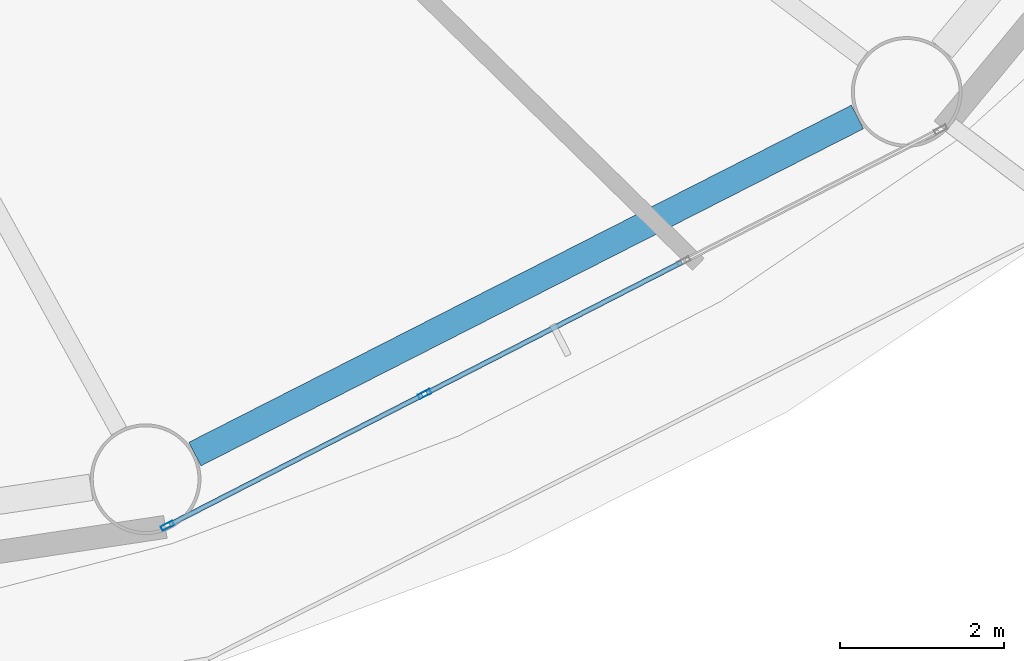
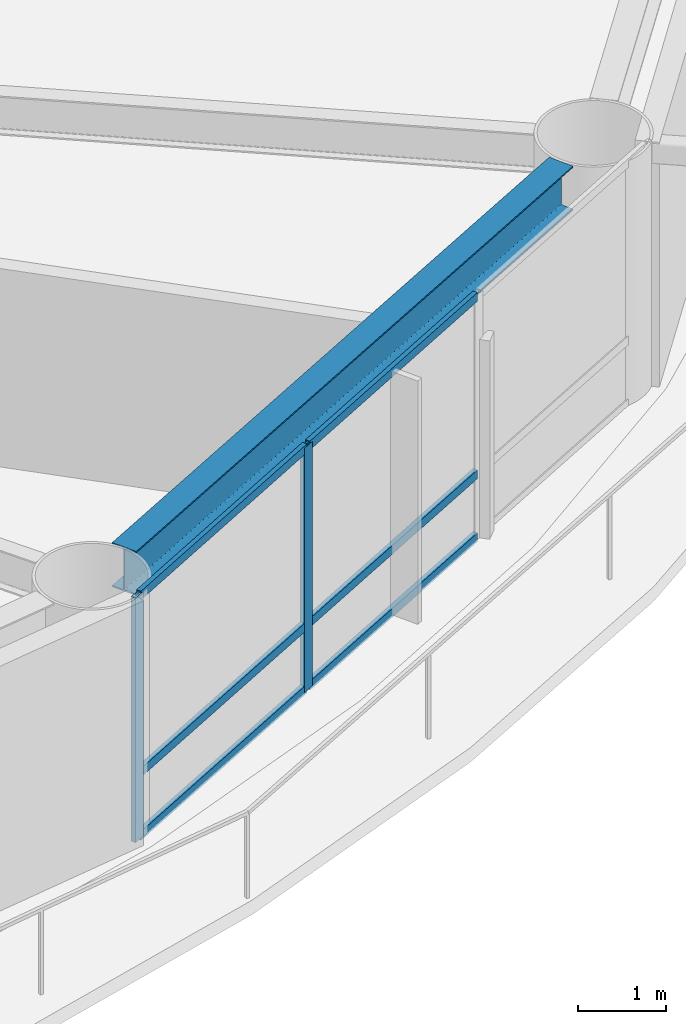
# One storey, part 4 of 24: 8 members, 1 beam, 1 element without a shape of its own.
"""IFC4 building model written with IfcOpenShell, lengths in metres."""

import ifcopenshell
import ifcopenshell.guid

model = None  # the IFC model being written
_history = None  # IfcOwnerHistory: only IFC2X3 demands one
_inside = {}  # id of a spatial element -> (the spatial element, [elements in it])
_under = {}  # id of a project, library or spatial element -> (it, [spatial elements below it])
_declared = {}  # id of a project -> (the project, [libraries it declares])
_typed = {}  # id of a type object -> (the type object, [elements of that type])
_made_of = {}  # id of a material, layer set ... -> (it, [elements and type objects made of it])


def new_model(schema):
    """Start an empty IFC model of exactly this schema.

    Asked for "IFC4X3", IfcOpenShell would pick the latest addendum, in which some entities
    have other attributes; the version numbers below select the first issue.
    IFC2X3 requires an IfcOwnerHistory on every rooted entity: one is made here for all.
    """
    global model, _history
    if schema == "IFC4X3":
        model = ifcopenshell.file(schema_version=(4, 3, 0, 0))
    else:
        model = ifcopenshell.file(schema=schema)
    _inside.clear()
    _under.clear()
    _declared.clear()
    _typed.clear()
    _made_of.clear()
    _history = None
    if model.schema == "IFC2X3":
        org = make("IfcOrganization", Name="unknown")
        user = make(
            "IfcPersonAndOrganization",
            ThePerson=make("IfcPerson", FamilyName="unknown"),
            TheOrganization=org,
        )
        app = make(
            "IfcApplication",
            ApplicationDeveloper=org,
            Version="unknown",
            ApplicationFullName="unknown",
            ApplicationIdentifier="unknown",
        )
        _history = make(
            "IfcOwnerHistory",
            OwningUser=user,
            OwningApplication=app,
            ChangeAction="ADDED",
            CreationDate=0,
        )
    return model


def make(cls, **values):
    """One entity of the class cls with the attributes given. An attribute that is None is left unset."""
    return model.create_entity(
        cls, **{name: value for name, value in values.items() if value is not None}
    )


def rooted(cls, **values):
    """An entity with a GlobalId (a new one), such as an element, a storey or a relation."""
    return make(cls, GlobalId=ifcopenshell.guid.new(), OwnerHistory=_history, **values)


def si_unit(unit_type, name, prefix=None):
    """IfcSIUnit, for example si_unit("LENGTHUNIT", "METRE", prefix="MILLI")."""
    return make("IfcSIUnit", UnitType=unit_type, Prefix=prefix, Name=name)


def assignment(units):
    """IfcUnitAssignment: the units of a project."""
    return None if units is None else make("IfcUnitAssignment", Units=units)


def point(xyz):
    """IfcCartesianPoint."""
    return None if xyz is None else make("IfcCartesianPoint", Coordinates=xyz)


def direction(xyz):
    """IfcDirection."""
    return None if xyz is None else make("IfcDirection", DirectionRatios=xyz)


def frame(location, z_axis=None, x_axis=None):
    """IfcAxis2Placement3D, a coordinate frame: its origin and axes. An axis left out is left unset."""
    return make(
        "IfcAxis2Placement3D",
        Location=point(location),
        Axis=direction(z_axis),
        RefDirection=direction(x_axis),
    )


def frame_2d(location, x_axis=None):
    """IfcAxis2Placement2D, a coordinate frame in the plane: its origin and x axis."""
    return make(
        "IfcAxis2Placement2D", Location=point(location), RefDirection=direction(x_axis)
    )


def origin():
    """The frame at (0, 0, 0) with its axes left unset."""
    return frame((0.0, 0.0, 0.0))


def origin_2d():
    """The frame at (0, 0) in the plane with its x axis left unset."""
    return frame_2d((0.0, 0.0))


def place(relative_to, where):
    """IfcLocalPlacement: puts the frame where relative to a parent placement (None: the world)."""
    return make(
        "IfcLocalPlacement", PlacementRelTo=relative_to, RelativePlacement=where
    )


def context(
    kind, dimensions, precision=None, world=None, true_north=None, identifier=None
):
    """IfcGeometricRepresentationContext, for example the 3D "Model" context."""
    return make(
        "IfcGeometricRepresentationContext",
        ContextIdentifier=identifier,
        ContextType=kind,
        CoordinateSpaceDimension=dimensions,
        Precision=precision,
        WorldCoordinateSystem=world,
        TrueNorth=true_north,
    )


def subcontext(parent, identifier, kind, view, scale=None):
    """IfcGeometricRepresentationSubContext, for example "Body" below "Model"."""
    return make(
        "IfcGeometricRepresentationSubContext",
        ContextIdentifier=identifier,
        ContextType=kind,
        ParentContext=parent,
        TargetScale=scale,
        TargetView=view,
    )


def project(units=None, contexts=None):
    """IfcProject with its units and contexts."""
    return rooted(
        "IfcProject",
        Name="project",
        RepresentationContexts=contexts,
        UnitsInContext=assignment(units),
    )


def spatial(cls, under=None, at=None, **own):
    """A site, building, storey or space (cls), placed at a placement, below another one or the project."""
    s = rooted(cls, ObjectPlacement=at, **own)
    if under is not None:
        _under.setdefault(under.id(), (under, []))[1].append(s)
    return s


def profile(cls, at=None, kind="AREA", **sizes):
    """A parametric profile (cls). Its sizes go by their IFC names, for example OverallWidth=200.0."""
    return make(cls, ProfileType=kind, Position=at, **sizes)


def hollow_rectangle(**sizes):
    """IfcRectangleHollowProfileDef."""
    return profile("IfcRectangleHollowProfileDef", **sizes)


def i_section(**sizes):
    """IfcIShapeProfileDef."""
    return profile("IfcIShapeProfileDef", **sizes)


def extrude(swept, where, along, depth):
    """IfcExtrudedAreaSolid: the profile swept, set in the frame where, extruded along a direction by depth."""
    return make(
        "IfcExtrudedAreaSolid",
        SweptArea=swept,
        Position=where,
        ExtrudedDirection=direction(along),
        Depth=depth,
    )


def shape(context_of_items, identifier, shape_type, items):
    """IfcShapeRepresentation: the items that make up one representation, for example the "Body"."""
    return make(
        "IfcShapeRepresentation",
        ContextOfItems=context_of_items,
        RepresentationIdentifier=identifier,
        RepresentationType=shape_type,
        Items=items,
    )


def material(Name=None, Category=None):
    """IfcMaterial."""
    return make("IfcMaterial", Name=Name, Category=Category)


def layer(
    of_material, thickness, ventilated=None, Name=None, Category=None, Priority=None
):
    """IfcMaterialLayer: one layer of a wall or slab, of a material (None: an air gap)."""
    return make(
        "IfcMaterialLayer",
        Material=of_material,
        LayerThickness=thickness,
        IsVentilated=ventilated,
        Name=Name,
        Category=Category,
        Priority=Priority,
    )


def layer_set(layers, Name=None):
    """IfcMaterialLayerSet."""
    return make("IfcMaterialLayerSet", MaterialLayers=layers, LayerSetName=Name)


def material_profile(
    of_material, cross_section, Name=None, Category=None, Priority=None
):
    """IfcMaterialProfile: a cross section and its material."""
    return make(
        "IfcMaterialProfile",
        Name=Name,
        Material=of_material,
        Profile=cross_section,
        Priority=Priority,
        Category=Category,
    )


def profile_set(profiles, Name=None, composite=None):
    """IfcMaterialProfileSet."""
    return make(
        "IfcMaterialProfileSet",
        Name=Name,
        MaterialProfiles=profiles,
        CompositeProfile=composite,
    )


def made_of(thing, what):
    """Note that an element or type object is made of a material, layer set ...; save() writes the relation."""
    if what is not None:
        _made_of.setdefault(what.id(), (what, []))[1].append(thing)
    return thing


def type_object(cls, material=None, **own):
    """A type object (cls), such as IfcWallType, which elements share."""
    return made_of(rooted(cls, **own), material)


def element(
    cls,
    number,
    at=None,
    inside=None,
    cuts=None,
    type_object=None,
    material=None,
    context=None,
    identifier="Body",
    shape_type=None,
    held_by="IfcProductDefinitionShape",
    body=None,
    shapes=None,
    **own,
):
    """One element of the class cls, such as IfcWall. Its Tag is "e" and its number.

    at: its placement. inside: the storey or other place that contains it. cuts: it is an
    opening in that element (IfcRelVoidsElement). A single representation is given by context,
    identifier, shape_type and body (its items); several are given by shapes. held_by: the class
    of the entity that holds the representations. save() writes the other relations.
    """
    e = rooted(cls, Tag="e%d" % number, ObjectPlacement=at, **own)
    if body is not None:
        shapes = [shape(context, identifier, shape_type, body)]
    if shapes is not None:
        e.Representation = make(held_by, Representations=shapes)
    if inside is not None:
        _inside.setdefault(inside.id(), (inside, []))[1].append(e)
    if cuts is not None:
        rooted(
            "IfcRelVoidsElement", RelatingBuildingElement=cuts, RelatedOpeningElement=e
        )
    if type_object is not None:
        _typed.setdefault(type_object.id(), (type_object, []))[1].append(e)
    return made_of(e, material)


def aggregate(whole, parts):
    """IfcRelAggregates: a whole, such as a stair, and the parts it consists of."""
    return rooted("IfcRelAggregates", RelatingObject=whole, RelatedObjects=parts)


def save(model, path):
    """Write the relations noted so far, then the file.

    IfcRelAggregates (storeys below a building ...), IfcRelContainedInSpatialStructure (elements
    in a storey), IfcRelDefinesByType, IfcRelAssociatesMaterial and IfcRelDeclares: one each for
    every whole, place, type object, material and project.
    """
    for whole, parts in _under.values():
        aggregate(whole, parts)
    for where, things in _inside.values():
        rooted(
            "IfcRelContainedInSpatialStructure",
            RelatedElements=things,
            RelatingStructure=where,
        )
    for kind, things in _typed.values():
        rooted("IfcRelDefinesByType", RelatedObjects=things, RelatingType=kind)
    for what, things in _made_of.values():
        rooted("IfcRelAssociatesMaterial", RelatedObjects=things, RelatingMaterial=what)
    for by, libraries in _declared.values():
        rooted("IfcRelDeclares", RelatingContext=by, RelatedDefinitions=libraries)
    model.write(path)


model = new_model("IFC4")

# Units and contexts
model_context = context("Model", 3, precision=1e-05, world=origin(), true_north=direction((0.0, 1.0)))
body_context = subcontext(model_context, "Body", "Model", "MODEL_VIEW")
ifc_project = project(units=[si_unit("LENGTHUNIT", "METRE"), si_unit("AREAUNIT", "SQUARE_METRE"), si_unit("VOLUMEUNIT", "CUBIC_METRE"), si_unit("PLANEANGLEUNIT", "RADIAN"), si_unit("MASSUNIT", "GRAM", prefix="KILO")], contexts=[model_context])

# Site, building, storey
site_placement = place(None, origin())
site = spatial("IfcSite", under=ifc_project, at=site_placement, CompositionType="ELEMENT")
building_placement = place(site_placement, origin())
building = spatial("IfcBuilding", under=site, at=building_placement, Name="Sarneth Arch Tower", CompositionType="ELEMENT")
storey_placement = place(building_placement, frame((0.0, 0.0, 127.199951171875)))
storey = spatial("IfcBuildingStorey", under=building, at=storey_placement, Name="L32", CompositionType="ELEMENT", Elevation=127.199951171875)

# Beam
ifc_material_1 = material(Name="Steel S355", Category="steel")
ifc_material_profile_1 = material_profile(ifc_material_1, i_section(OverallWidth=0.323974609375, OverallDepth=0.611083984375, WebThickness=0.0126953125, FlangeThickness=0.01904296875, FilletRadius=0.01904296875, at=origin_2d()), Name="W610x155")
ifc_profile_set_1 = profile_set([ifc_material_profile_1], Name="Steel S355")
beam_type = type_object("IfcBeamType", Name="BM-SPAN-610B", PredefinedType="SPANDREL", material=ifc_profile_set_1)
beam_placement = place(storey_placement, frame((59.7119140625, 22.16552734375, 3.074462890625), z_axis=(0.891255891792, 0.453500755619, 0.0), x_axis=(-0.453500755619, 0.891255891792, 0.0)))
element("IfcBeam", 1, at=beam_placement, inside=storey, type_object=beam_type, Name="L32 Perimeter spandrel beam 14", PredefinedType="SPANDREL", context=body_context, shape_type="SweptSolid", body=[
    extrude(i_section(OverallWidth=0.323974609375, OverallDepth=0.611083984375, WebThickness=0.0126953125, FlangeThickness=0.01904296875, FilletRadius=0.01904296875, at=origin_2d()), origin(), (0.0, 0.0, 1.0), 9.070556640625),
])

# Curtain wall, members
ifc_material_2 = material(Name="Anodised aluminium Type AA25 and solar-control low-e laminated IGU", Category="aluminium")
ifc_layer = layer(ifc_material_2, 0.159912109375)
ifc_layer_set = layer_set([ifc_layer], Name="Anodised aluminium Type AA25 and solar-control low-e laminated IGU")
curtain_wall_type = type_object("IfcCurtainWallType", Name="CW-HOTEL-MID", PredefinedType="NOTDEFINED", material=ifc_layer_set)
curtain_wall_placement = place(storey_placement, origin())
curtain_wall = element("IfcCurtainWall", 2, at=curtain_wall_placement, inside=storey, type_object=curtain_wall_type, Name="L32 Unitised curtain wall facet 14", PredefinedType="NOTDEFINED")
ifc_material_3 = material(Name="Anodised Aluminium 6063-T6", Category="aluminium")
ifc_material_profile_2 = material_profile(ifc_material_3, hollow_rectangle(XDim=0.06005859375, YDim=0.159912109375, WallThickness=0.00390625, at=origin_2d()), Name="AL-MULL-160x60x4")
ifc_profile_set_2 = profile_set([ifc_material_profile_2], Name="Anodised Aluminium 6063-T6")
member_type_1 = type_object("IfcMemberType", Name="CW-MULLION", PredefinedType="MULLION", material=ifc_profile_set_2)
member_1_placement = place(storey_placement, frame((59.3779296875, 21.291015625, 0.0), z_axis=(0.0, 0.0, 1.0), x_axis=(-0.456031365356, 0.889963703649, 0.0)))
member_1 = element("IfcMember", 3, at=member_1_placement, type_object=member_type_1, Name="CW-SYS-4 mullion 1", PredefinedType="MULLION", context=body_context, shape_type="SweptSolid", body=[
    extrude(hollow_rectangle(XDim=0.06005859375, YDim=0.159912109375, WallThickness=0.00390625, at=origin_2d()), origin(), (0.0, 0.0, 1.0), 3.380126953125),
])
member_2_placement = place(storey_placement, frame((62.51416015625, 22.898193359375, 0.0), z_axis=(0.0, 0.0, 1.0), x_axis=(-0.456031365356, 0.889963703649, 0.0)))
member_2 = element("IfcMember", 4, at=member_2_placement, type_object=member_type_1, Name="CW-SYS-4 mullion 2", PredefinedType="MULLION", context=body_context, shape_type="SweptSolid", body=[
    extrude(hollow_rectangle(XDim=0.06005859375, YDim=0.159912109375, WallThickness=0.00390625, at=origin_2d()), origin(), (0.0, 0.0, 1.0), 3.380126953125),
])
ifc_material_4 = material(Name="Anodised Aluminium 6063-T6", Category="aluminium")
ifc_material_profile_3 = material_profile(ifc_material_4, hollow_rectangle(XDim=0.06005859375, YDim=0.1201171875, WallThickness=0.00390625, at=origin_2d()), Name="AL-TRAN-120x60x4")
ifc_profile_set_3 = profile_set([ifc_material_profile_3], Name="Anodised Aluminium 6063-T6")
member_type_2 = type_object("IfcMemberType", Name="CW-TRANSOM", PredefinedType="USERDEFINED", material=ifc_profile_set_3)
member_3_placement = place(storey_placement, frame((59.404541015625, 21.3046875, 0.030029296875), z_axis=(0.889957563627, 0.456043347658, 0.0), x_axis=(-0.456043347658, 0.889957563627, 0.0)))
member_3 = element("IfcMember", 5, at=member_3_placement, type_object=member_type_2, Name="CW-SYS-4 transom 1.1", ObjectType="TRANSOM", PredefinedType="USERDEFINED", context=body_context, shape_type="SweptSolid", body=[
    extrude(hollow_rectangle(XDim=0.06005859375, YDim=0.1201171875, WallThickness=0.00390625, at=origin_2d()), origin(), (0.0, 0.0, 1.0), 3.464111328125),
])
member_4_placement = place(storey_placement, frame((59.404541015625, 21.3046875, 0.900146484375), z_axis=(0.889957563627, 0.456043347658, 0.0), x_axis=(-0.456043347658, 0.889957563627, 0.0)))
member_4 = element("IfcMember", 6, at=member_4_placement, type_object=member_type_2, Name="CW-SYS-4 transom 1.2", ObjectType="TRANSOM", PredefinedType="USERDEFINED", context=body_context, shape_type="SweptSolid", body=[
    extrude(hollow_rectangle(XDim=0.06005859375, YDim=0.1201171875, WallThickness=0.00390625, at=origin_2d()), origin(), (0.0, 0.0, 1.0), 3.464111328125),
])
member_5_placement = place(storey_placement, frame((59.404541015625, 21.3046875, 3.35009765625), z_axis=(0.889957563627, 0.456043347658, 0.0), x_axis=(-0.456043347658, 0.889957563627, 0.0)))
member_5 = element("IfcMember", 7, at=member_5_placement, type_object=member_type_2, Name="CW-SYS-4 transom 1.3", ObjectType="TRANSOM", PredefinedType="USERDEFINED", context=body_context, shape_type="SweptSolid", body=[
    extrude(hollow_rectangle(XDim=0.06005859375, YDim=0.1201171875, WallThickness=0.00390625, at=origin_2d()), origin(), (0.0, 0.0, 1.0), 3.464111328125),
])
member_6_placement = place(storey_placement, frame((62.540771484375, 22.911865234375, 0.030029296875), z_axis=(0.889981813856, 0.455996020823, 0.0), x_axis=(-0.455996020823, 0.889981813856, 0.0)))
member_6 = element("IfcMember", 8, at=member_6_placement, type_object=member_type_2, Name="CW-SYS-4 transom 2.1", ObjectType="TRANSOM", PredefinedType="USERDEFINED", context=body_context, shape_type="SweptSolid", body=[
    extrude(hollow_rectangle(XDim=0.06005859375, YDim=0.1201171875, WallThickness=0.00390625, at=origin_2d()), origin(), (0.0, 0.0, 1.0), 3.494140625),
])
member_7_placement = place(storey_placement, frame((62.540771484375, 22.911865234375, 0.900146484375), z_axis=(0.889981813856, 0.455996020823, 0.0), x_axis=(-0.455996020823, 0.889981813856, 0.0)))
member_7 = element("IfcMember", 9, at=member_7_placement, type_object=member_type_2, Name="CW-SYS-4 transom 2.2", ObjectType="TRANSOM", PredefinedType="USERDEFINED", context=body_context, shape_type="SweptSolid", body=[
    extrude(hollow_rectangle(XDim=0.06005859375, YDim=0.1201171875, WallThickness=0.00390625, at=origin_2d()), origin(), (0.0, 0.0, 1.0), 3.494140625),
])
member_8_placement = place(storey_placement, frame((62.540771484375, 22.911865234375, 3.35009765625), z_axis=(0.889981813856, 0.455996020823, 0.0), x_axis=(-0.455996020823, 0.889981813856, 0.0)))
member_8 = element("IfcMember", 10, at=member_8_placement, type_object=member_type_2, Name="CW-SYS-4 transom 2.3", ObjectType="TRANSOM", PredefinedType="USERDEFINED", context=body_context, shape_type="SweptSolid", body=[
    extrude(hollow_rectangle(XDim=0.06005859375, YDim=0.1201171875, WallThickness=0.00390625, at=origin_2d()), origin(), (0.0, 0.0, 1.0), 3.494140625),
])
aggregate(curtain_wall, [member_1, member_2, member_3, member_4, member_5, member_6, member_7, member_8])

save(model, "model.ifc")
